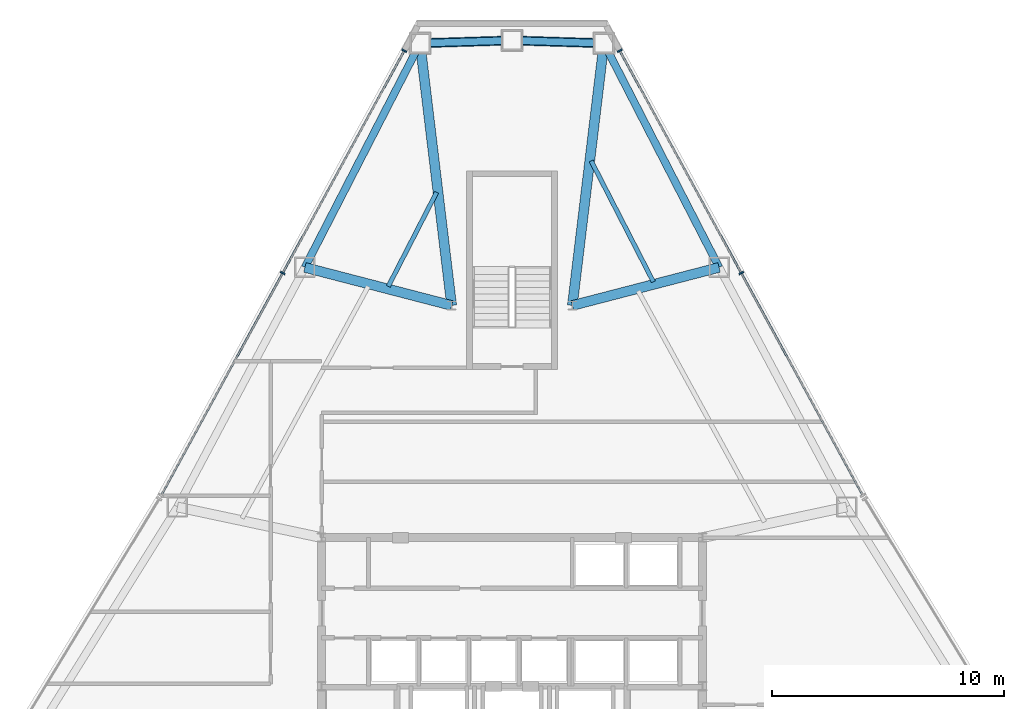
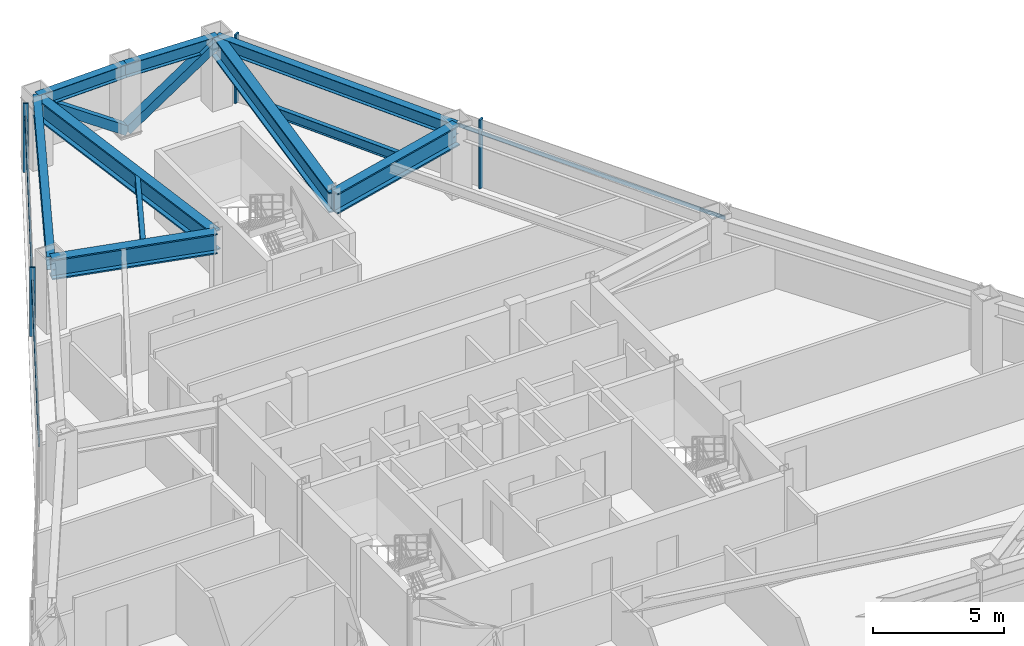
# One storey, part 6 of 11: 10 beams, 8 members, 2 elements without a shape of their own.
"""IFC4 building model written with IfcOpenShell, lengths in metres."""

from ifc_helpers import new_model, si_unit, direction, frame, origin, origin_2d, place, context, subcontext, project, spatial, rectangle, hollow_rectangle, i_section, extrude, source, transform, mapped, material, layer, layer_set, material_profile, profile_set, type_object, type_shapes, element, aggregate, save


model = new_model("IFC4")

# Units and contexts
model_context = context("Model", 3, precision=1e-05, world=origin(), true_north=direction((0.0, 1.0)))
body_context = subcontext(model_context, "Body", "Model", "MODEL_VIEW")
ifc_project = project(units=[si_unit("LENGTHUNIT", "METRE"), si_unit("AREAUNIT", "SQUARE_METRE"), si_unit("VOLUMEUNIT", "CUBIC_METRE"), si_unit("PLANEANGLEUNIT", "RADIAN"), si_unit("MASSUNIT", "GRAM", prefix="KILO")], contexts=[model_context])

# Site, building, storey
site_placement = place(None, origin())
site = spatial("IfcSite", under=ifc_project, at=site_placement, CompositionType="ELEMENT")
building_placement = place(site_placement, origin())
building = spatial("IfcBuilding", under=site, at=building_placement, Name="Varakhsha Concourse Tower", CompositionType="ELEMENT")
storey_placement = place(building_placement, frame((0.0, 0.0, 150.5)))
storey = spatial("IfcBuildingStorey", under=building, at=storey_placement, Name="L43", CompositionType="ELEMENT", Elevation=150.5)

# Beams
ifc_material_1 = material(Name="Structural Steel ASTM A992 Grade 50", Category="steel")
ifc_material_profile_1 = material_profile(ifc_material_1, i_section(OverallWidth=0.19091796875, OverallDepth=0.45703125, WebThickness=0.009033203125, FlangeThickness=0.013916015625, at=origin_2d()), Name="W18X50")
ifc_profile_set_1 = profile_set([ifc_material_profile_1], Name="Structural Steel ASTM A992 Grade 50")
beam_type_1 = type_object("IfcBeamType", Name="BM-JST-W18X50", PredefinedType="JOIST", material=ifc_profile_set_1)
beam_1_placement = place(storey_placement, frame((36.75146484375, 46.072509765625, 2.9814453125), z_axis=(-0.457130088423, -0.88939984386, 0.0), x_axis=(0.88939984386, -0.457130088423, 0.0)))
element("IfcBeam", 1, at=beam_1_placement, inside=storey, type_object=beam_type_1, Name="BM-TJST-L43-03", PredefinedType="JOIST", context=body_context, shape_type="SweptSolid", body=[
    extrude(i_section(OverallWidth=0.19091796875, OverallDepth=0.45703125, WebThickness=0.009033203125, FlangeThickness=0.013916015625, at=origin_2d()), origin(), (0.0, 0.0, 1.0), 4.556640625),
])
beam_2_placement = place(storey_placement, frame((46.090087890625, 42.216796875, 2.9814453125), z_axis=(-0.457136164259, 0.889396721001, 0.0), x_axis=(-0.889396721001, -0.457136164259, 0.0)))
element("IfcBeam", 2, at=beam_2_placement, inside=storey, type_object=beam_type_1, Name="BM-TJST-L43-18", PredefinedType="JOIST", context=body_context, shape_type="SweptSolid", body=[
    extrude(i_section(OverallWidth=0.19091796875, OverallDepth=0.45703125, WebThickness=0.009033203125, FlangeThickness=0.013916015625, at=origin_2d()), origin(), (0.0, 0.0, 1.0), 5.859130859375),
])
ifc_material_profile_2 = material_profile(ifc_material_1, i_section(OverallWidth=0.423095703125, OverallDepth=0.947998046875, WebThickness=0.0380859375, FlangeThickness=0.06396484375, at=origin_2d()), Name="W36X302")
ifc_profile_set_2 = profile_set([ifc_material_profile_2], Name="Structural Steel ASTM A992 Grade 50")
beam_type_2 = type_object("IfcBeamType", Name="BM-OUTR-W36X302", PredefinedType="USERDEFINED", material=ifc_profile_set_2)
for number, where, z_axis, x_axis, name in (
    (3, (42.60009765625, 41.199951171875, 2.736083984375), (0.119496349905, 0.992834639988, 0.0), (-0.992834639988, 0.119496349905, 0.0), "L43 Radial Floor Girder 01"),
    (4, (37.39990234375, 41.199951171875, 2.736083984375), (-0.119496349905, 0.992834639988, 0.0), (-0.992834639988, -0.119496349905, 0.0), "L43 Radial Floor Girder 03"),
):
    element("IfcBeam", number, at=place(storey_placement, frame(where, z_axis=z_axis, x_axis=x_axis)), inside=storey, type_object=beam_type_2, Name=name, ObjectType="GIRDER", PredefinedType="USERDEFINED", context=body_context, shape_type="SweptSolid", body=[
        extrude(i_section(OverallWidth=0.423095703125, OverallDepth=0.947998046875, WebThickness=0.0380859375, FlangeThickness=0.06396484375, at=origin_2d()), origin(), (0.0, 0.0, 1.0), 11.3779296875),
    ])
for number, where, z_axis, x_axis, name in (
    (5, (37.39990234375, 41.199951171875, 2.736083984375), (-0.967928927107, 0.251224186873, 0.0), (-0.251224186873, -0.967928927107, 0.0), "L43 Radial Floor Girder 04"),
    (6, (42.60009765625, 41.199951171875, 2.736083984375), (0.967928927107, 0.251224186873, 0.0), (-0.251224186873, 0.967928927107, 0.0), "L43 Radial Floor Girder 18"),
):
    element("IfcBeam", number, at=place(storey_placement, frame(where, z_axis=z_axis, x_axis=x_axis)), inside=storey, type_object=beam_type_2, Name=name, ObjectType="GIRDER", PredefinedType="USERDEFINED", context=body_context, shape_type="SweptSolid", body=[
        extrude(i_section(OverallWidth=0.423095703125, OverallDepth=0.947998046875, WebThickness=0.0380859375, FlangeThickness=0.06396484375, at=origin_2d()), origin(), (0.0, 0.0, 1.0), 6.531494140625),
    ])
ifc_material_profile_3 = material_profile(ifc_material_1, i_section(OverallWidth=0.323974609375, OverallDepth=0.611083984375, WebThickness=0.012939453125, FlangeThickness=0.01904296875, at=origin_2d()), Name="W24X104")
ifc_profile_set_3 = profile_set([ifc_material_profile_3], Name="Structural Steel ASTM A992 Grade 50")
beam_type_3 = type_object("IfcBeamType", Name="BM-SPAN-W24X104", PredefinedType="SPANDREL", material=ifc_profile_set_3)
for number, where, z_axis, x_axis, name in (
    (7, (43.959716796875, 52.496337890625, 2.904541015625), (-0.999523254448, 0.030874970743, 0.0), (-0.030874970743, -0.999523254448, 0.0), "BM-SPAN-L43-01"),
    (8, (40.0, 52.61865234375, 2.904541015625), (-0.999523254448, -0.030874970743, 0.0), (0.030874970743, -0.999523254448, 0.0), "BM-SPAN-L43-02"),
):
    element("IfcBeam", number, at=place(storey_placement, frame(where, z_axis=z_axis, x_axis=x_axis)), inside=storey, type_object=beam_type_3, Name=name, PredefinedType="SPANDREL", context=body_context, shape_type="SweptSolid", body=[
        extrude(i_section(OverallWidth=0.323974609375, OverallDepth=0.611083984375, WebThickness=0.012939453125, FlangeThickness=0.01904296875, at=origin_2d()), origin(), (0.0, 0.0, 1.0), 3.961669921875),
    ])
for number, where, z_axis, x_axis, name in (
    (9, (36.040283203125, 52.496337890625, 2.904541015625), (-0.457108153747, -0.889411117413, 0.0), (0.889411117413, -0.457108153747, 0.0), "BM-SPAN-L43-03"),
    (10, (48.922119140625, 42.8408203125, 2.904541015625), (-0.457108153747, 0.889411117413, 0.0), (-0.889411117413, -0.457108153747, 0.0), "BM-SPAN-L43-18"),
):
    element("IfcBeam", number, at=place(storey_placement, frame(where, z_axis=z_axis, x_axis=x_axis)), inside=storey, type_object=beam_type_3, Name=name, PredefinedType="SPANDREL", context=body_context, shape_type="SweptSolid", body=[
        extrude(i_section(OverallWidth=0.323974609375, OverallDepth=0.611083984375, WebThickness=0.012939453125, FlangeThickness=0.01904296875, at=origin_2d()), origin(), (0.0, 0.0, 1.0), 10.856201171875),
    ])

# Members
ifc_material_2 = material(Name="Structural Steel ASTM A500 Grade C", Category="steel")
ifc_material_profile_4 = material_profile(ifc_material_2, hollow_rectangle(XDim=0.39990234375, YDim=0.39990234375, WallThickness=0.01611328125, at=origin_2d()), Name="HSS 400x400x16")
ifc_profile_set_4 = profile_set([ifc_material_profile_4], Name="Structural Steel ASTM A500 Grade C")
member_type_1 = type_object("IfcMemberType", Name="MB-TUBE-HSS400", PredefinedType="BRACE", material=ifc_profile_set_4)
shared_shape_1 = source(origin(), body_context, "Body", "SweptSolid", [
    extrude(hollow_rectangle(XDim=0.39990234375, YDim=0.39990234375, WallThickness=0.01611328125, at=origin_2d()), origin(), (0.0, 0.0, 1.0), 4.84521484375),
])
type_shapes(member_type_1, [shared_shape_1])
for number, where, z_axis, x_axis, name in (
    (11, (40.0, 52.61865234375, 0.1201171875), (0.817222461626, -0.025243754441, 0.575769225538), (0.030874970743, 0.999523254448, 0.0), "L43 Wind-Corner Tube Brace B01"),
    (12, (40.0, 52.61865234375, 0.1201171875), (-0.817222461626, -0.025243754441, 0.575769225538), (0.030874970743, -0.999523254448, 0.0), "L43 Wind-Corner Tube Brace B02"),
):
    element("IfcMember", number, at=place(storey_placement, frame(where, z_axis=z_axis, x_axis=x_axis)), inside=storey, type_object=member_type_1, Name=name, PredefinedType="BRACE", context=body_context, shape_type="MappedRepresentation", body=[
        mapped(shared_shape_1, transform((0.0, 0.0, 0.0), scale=1.0)),
    ])

# Curtain wall, members
ifc_material_3 = material(Name="Anodised Bronze Architectural Aluminium AA 6063-T6", Category="aluminium")
ifc_layer = layer(ifc_material_3, 0.2099609375, Name="CW-SYS-04")
ifc_layer_set = layer_set([ifc_layer], Name="Anodised Bronze Architectural Aluminium AA 6063-T6")
curtain_wall_type = type_object("IfcCurtainWallType", Name="CW-SYS-04", PredefinedType="NOTDEFINED", material=ifc_layer_set)
curtain_wall_1_placement = place(storey_placement, origin())
curtain_wall_1 = element("IfcCurtainWall", 13, at=curtain_wall_1_placement, inside=storey, type_object=curtain_wall_type, Name="L43 Crystal Curtain Wall F2", PredefinedType="NOTDEFINED")
ifc_material_profile_5 = material_profile(ifc_material_3, rectangle(XDim=0.074951171875, YDim=0.219970703125, at=origin_2d()), Name="CWM-220X75")
ifc_profile_set_5 = profile_set([ifc_material_profile_5], Name="Anodised Bronze Architectural Aluminium AA 6063-T6")
member_type_2 = type_object("IfcMemberType", Name="CWM-220X75", PredefinedType="MULLION", material=ifc_profile_set_5)
shared_shape_2 = source(origin(), body_context, "Body", "SweptSolid", [
    extrude(rectangle(XDim=0.074951171875, YDim=0.219970703125, at=origin_2d()), origin(), (0.0, 0.0, 1.0), 3.2099609375),
])
type_shapes(member_type_2, [shared_shape_2])
member_1_placement = place(storey_placement, frame((30.124755859375, 42.59814453125, 0.0), z_axis=(0.0, 0.0, 1.0), x_axis=(0.479595701913, 0.877489579828, 0.0)))
member_1 = element("IfcMember", 14, at=member_1_placement, type_object=member_type_2, Name="CW-L43-F2 Mullion 01", PredefinedType="MULLION", context=body_context, shape_type="MappedRepresentation", body=[
    mapped(shared_shape_2, transform((0.0, 0.0, 0.0), scale=1.0)),
])
member_2_placement = place(storey_placement, frame((35.359375, 52.17578125, 0.0), z_axis=(0.0, 0.0, 1.0), x_axis=(0.479595701913, 0.877489579828, 0.0)))
member_2 = element("IfcMember", 15, at=member_2_placement, type_object=member_type_2, Name="CW-L43-F2 Mullion 02", PredefinedType="MULLION", context=body_context, shape_type="MappedRepresentation", body=[
    mapped(shared_shape_2, transform((0.0, 0.0, 0.0), scale=1.0)),
])

curtain_wall_2_placement = place(storey_placement, origin())
curtain_wall_2 = element("IfcCurtainWall", 16, at=curtain_wall_2_placement, inside=storey, type_object=curtain_wall_type, Name="L43 Crystal Curtain Wall F9", PredefinedType="NOTDEFINED")
member_3_placement = place(storey_placement, frame((44.640625, 52.17578125, 0.0), z_axis=(0.0, 0.0, 1.0), x_axis=(0.479595701913, -0.877489579828, 0.0)))
member_3 = element("IfcMember", 17, at=member_3_placement, type_object=member_type_2, Name="CW-L43-F9 Mullion 00", PredefinedType="MULLION", context=body_context, shape_type="MappedRepresentation", body=[
    mapped(shared_shape_2, transform((0.0, 0.0, 0.0), scale=1.0)),
])
member_4_placement = place(storey_placement, frame((49.875244140625, 42.59814453125, 0.0), z_axis=(0.0, 0.0, 1.0), x_axis=(0.479595701913, -0.877489579828, 0.0)))
member_4 = element("IfcMember", 18, at=member_4_placement, type_object=member_type_2, Name="CW-L43-F9 Mullion 01", PredefinedType="MULLION", context=body_context, shape_type="MappedRepresentation", body=[
    mapped(shared_shape_2, transform((0.0, 0.0, 0.0), scale=1.0)),
])

# Member
ifc_material_profile_6 = material_profile(ifc_material_3, rectangle(XDim=0.06494140625, YDim=0.159912109375, at=origin_2d()), Name="CWT-160X65")
ifc_profile_set_6 = profile_set([ifc_material_profile_6], Name="Anodised Bronze Architectural Aluminium AA 6063-T6")
member_type_3 = type_object("IfcMemberType", Name="CWT-160X65", PredefinedType="USERDEFINED", material=ifc_profile_set_6)
shared_shape_3 = source(origin(), body_context, "Body", "SweptSolid", [
    extrude(rectangle(XDim=0.06494140625, YDim=0.159912109375, at=origin_2d()), origin(), (0.0, 0.0, 1.0), 21.82958984375),
])
type_shapes(member_type_3, [shared_shape_3])
member_5_placement = place(storey_placement, frame((24.889892578125, 33.0205078125, 2.56005859375), z_axis=(0.479598713549, 0.877487933798, 0.0), x_axis=(-0.877487933798, 0.479598713549, 0.0)))
member_5 = element("IfcMember", 19, at=member_5_placement, type_object=member_type_3, Name="CW-L43-F2 Transom 01", ObjectType="TRANSOM", PredefinedType="USERDEFINED", context=body_context, shape_type="MappedRepresentation", body=[
    mapped(shared_shape_3, transform((0.0, 0.0, 0.0), scale=1.0)),
])

aggregate(curtain_wall_1, [member_1, member_2, member_5])

member_6_placement = place(storey_placement, frame((44.640625, 52.17578125, 2.56005859375), z_axis=(0.479598713549, -0.877487933798, 0.0), x_axis=(0.877487933798, 0.479598713549, 0.0)))
member_6 = element("IfcMember", 20, at=member_6_placement, type_object=member_type_3, Name="CW-L43-F9 Transom 01", ObjectType="TRANSOM", PredefinedType="USERDEFINED", context=body_context, shape_type="MappedRepresentation", body=[
    mapped(shared_shape_3, transform((0.0, 0.0, 0.0), scale=1.0)),
])

aggregate(curtain_wall_2, [member_3, member_4, member_6])

save(model, "model.ifc")
